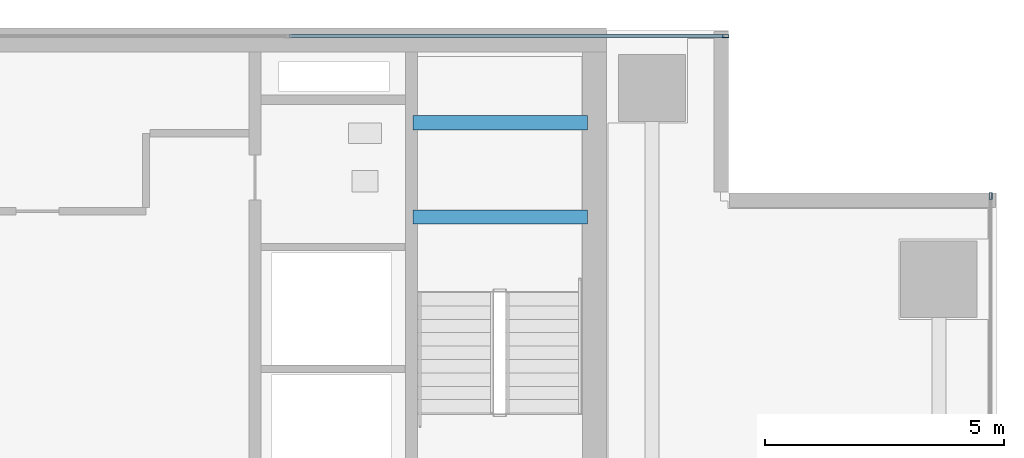
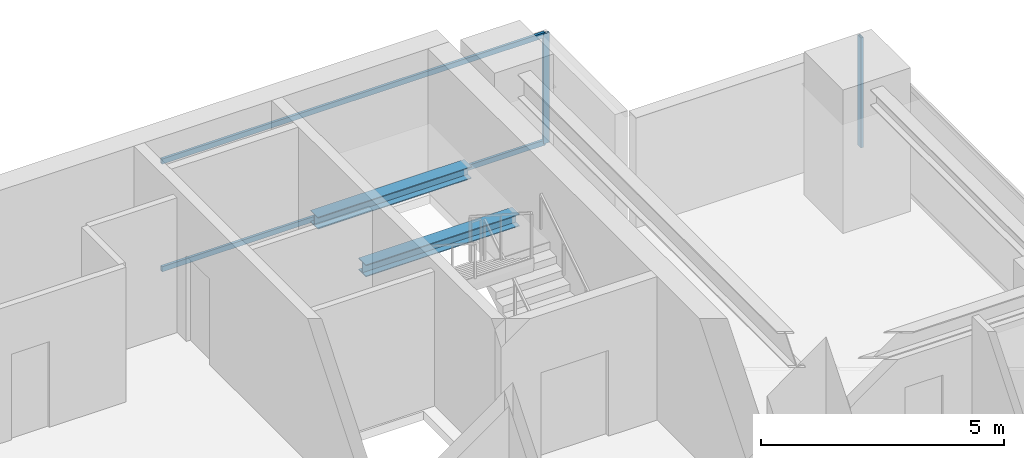
# One storey, part 22 of 28: 4 members, 2 beams, 2 elements without a shape of their own.
"""IFC4 building model written with IfcOpenShell, lengths in metres."""

import ifcopenshell
import ifcopenshell.guid

model = None  # the IFC model being written
_history = None  # IfcOwnerHistory: only IFC2X3 demands one
_inside = {}  # id of a spatial element -> (the spatial element, [elements in it])
_under = {}  # id of a project, library or spatial element -> (it, [spatial elements below it])
_declared = {}  # id of a project -> (the project, [libraries it declares])
_typed = {}  # id of a type object -> (the type object, [elements of that type])
_made_of = {}  # id of a material, layer set ... -> (it, [elements and type objects made of it])


def new_model(schema):
    """Start an empty IFC model of exactly this schema.

    Asked for "IFC4X3", IfcOpenShell would pick the latest addendum, in which some entities
    have other attributes; the version numbers below select the first issue.
    IFC2X3 requires an IfcOwnerHistory on every rooted entity: one is made here for all.
    """
    global model, _history
    if schema == "IFC4X3":
        model = ifcopenshell.file(schema_version=(4, 3, 0, 0))
    else:
        model = ifcopenshell.file(schema=schema)
    _inside.clear()
    _under.clear()
    _declared.clear()
    _typed.clear()
    _made_of.clear()
    _history = None
    if model.schema == "IFC2X3":
        org = make("IfcOrganization", Name="unknown")
        user = make(
            "IfcPersonAndOrganization",
            ThePerson=make("IfcPerson", FamilyName="unknown"),
            TheOrganization=org,
        )
        app = make(
            "IfcApplication",
            ApplicationDeveloper=org,
            Version="unknown",
            ApplicationFullName="unknown",
            ApplicationIdentifier="unknown",
        )
        _history = make(
            "IfcOwnerHistory",
            OwningUser=user,
            OwningApplication=app,
            ChangeAction="ADDED",
            CreationDate=0,
        )
    return model


def make(cls, **values):
    """One entity of the class cls with the attributes given. An attribute that is None is left unset."""
    return model.create_entity(
        cls, **{name: value for name, value in values.items() if value is not None}
    )


def rooted(cls, **values):
    """An entity with a GlobalId (a new one), such as an element, a storey or a relation."""
    return make(cls, GlobalId=ifcopenshell.guid.new(), OwnerHistory=_history, **values)


def si_unit(unit_type, name, prefix=None):
    """IfcSIUnit, for example si_unit("LENGTHUNIT", "METRE", prefix="MILLI")."""
    return make("IfcSIUnit", UnitType=unit_type, Prefix=prefix, Name=name)


def assignment(units):
    """IfcUnitAssignment: the units of a project."""
    return None if units is None else make("IfcUnitAssignment", Units=units)


def point(xyz):
    """IfcCartesianPoint."""
    return None if xyz is None else make("IfcCartesianPoint", Coordinates=xyz)


def direction(xyz):
    """IfcDirection."""
    return None if xyz is None else make("IfcDirection", DirectionRatios=xyz)


def frame(location, z_axis=None, x_axis=None):
    """IfcAxis2Placement3D, a coordinate frame: its origin and axes. An axis left out is left unset."""
    return make(
        "IfcAxis2Placement3D",
        Location=point(location),
        Axis=direction(z_axis),
        RefDirection=direction(x_axis),
    )


def frame_2d(location, x_axis=None):
    """IfcAxis2Placement2D, a coordinate frame in the plane: its origin and x axis."""
    return make(
        "IfcAxis2Placement2D", Location=point(location), RefDirection=direction(x_axis)
    )


def origin():
    """The frame at (0, 0, 0) with its axes left unset."""
    return frame((0.0, 0.0, 0.0))


def origin_2d():
    """The frame at (0, 0) in the plane with its x axis left unset."""
    return frame_2d((0.0, 0.0))


def place(relative_to, where):
    """IfcLocalPlacement: puts the frame where relative to a parent placement (None: the world)."""
    return make(
        "IfcLocalPlacement", PlacementRelTo=relative_to, RelativePlacement=where
    )


def context(
    kind, dimensions, precision=None, world=None, true_north=None, identifier=None
):
    """IfcGeometricRepresentationContext, for example the 3D "Model" context."""
    return make(
        "IfcGeometricRepresentationContext",
        ContextIdentifier=identifier,
        ContextType=kind,
        CoordinateSpaceDimension=dimensions,
        Precision=precision,
        WorldCoordinateSystem=world,
        TrueNorth=true_north,
    )


def subcontext(parent, identifier, kind, view, scale=None):
    """IfcGeometricRepresentationSubContext, for example "Body" below "Model"."""
    return make(
        "IfcGeometricRepresentationSubContext",
        ContextIdentifier=identifier,
        ContextType=kind,
        ParentContext=parent,
        TargetScale=scale,
        TargetView=view,
    )


def project(units=None, contexts=None):
    """IfcProject with its units and contexts."""
    return rooted(
        "IfcProject",
        Name="project",
        RepresentationContexts=contexts,
        UnitsInContext=assignment(units),
    )


def spatial(cls, under=None, at=None, **own):
    """A site, building, storey or space (cls), placed at a placement, below another one or the project."""
    s = rooted(cls, ObjectPlacement=at, **own)
    if under is not None:
        _under.setdefault(under.id(), (under, []))[1].append(s)
    return s


def profile(cls, at=None, kind="AREA", **sizes):
    """A parametric profile (cls). Its sizes go by their IFC names, for example OverallWidth=200.0."""
    return make(cls, ProfileType=kind, Position=at, **sizes)


def hollow_rectangle(**sizes):
    """IfcRectangleHollowProfileDef."""
    return profile("IfcRectangleHollowProfileDef", **sizes)


def i_section(**sizes):
    """IfcIShapeProfileDef."""
    return profile("IfcIShapeProfileDef", **sizes)


def extrude(swept, where, along, depth):
    """IfcExtrudedAreaSolid: the profile swept, set in the frame where, extruded along a direction by depth."""
    return make(
        "IfcExtrudedAreaSolid",
        SweptArea=swept,
        Position=where,
        ExtrudedDirection=direction(along),
        Depth=depth,
    )


def shape(context_of_items, identifier, shape_type, items):
    """IfcShapeRepresentation: the items that make up one representation, for example the "Body"."""
    return make(
        "IfcShapeRepresentation",
        ContextOfItems=context_of_items,
        RepresentationIdentifier=identifier,
        RepresentationType=shape_type,
        Items=items,
    )


def source(mapping_origin, context_of_items, identifier, shape_type, items):
    """IfcRepresentationMap: a shape defined once, which mapped items show again and again."""
    return make(
        "IfcRepresentationMap",
        MappingOrigin=mapping_origin,
        MappedRepresentation=shape(context_of_items, identifier, shape_type, items),
    )


def transform(
    local_origin,
    x_axis=None,
    y_axis=None,
    z_axis=None,
    scale=None,
    scale2=None,
    scale3=None,
    uniform=True,
):
    """IfcCartesianTransformationOperator3D, or its non-uniform kind. x_axis, y_axis, z_axis: its Axis1, 2, 3."""
    if uniform:
        return make(
            "IfcCartesianTransformationOperator3D",
            Axis1=direction(x_axis),
            Axis2=direction(y_axis),
            LocalOrigin=point(local_origin),
            Scale=scale,
            Axis3=direction(z_axis),
        )
    return make(
        "IfcCartesianTransformationOperator3DnonUniform",
        Axis1=direction(x_axis),
        Axis2=direction(y_axis),
        LocalOrigin=point(local_origin),
        Scale=scale,
        Axis3=direction(z_axis),
        Scale2=scale2,
        Scale3=scale3,
    )


def mapped(mapping_source, mapping_target):
    """IfcMappedItem: shows the shape of a source again, moved by a transform."""
    return make(
        "IfcMappedItem", MappingSource=mapping_source, MappingTarget=mapping_target
    )


def material(Name=None, Category=None):
    """IfcMaterial."""
    return make("IfcMaterial", Name=Name, Category=Category)


def layer(
    of_material, thickness, ventilated=None, Name=None, Category=None, Priority=None
):
    """IfcMaterialLayer: one layer of a wall or slab, of a material (None: an air gap)."""
    return make(
        "IfcMaterialLayer",
        Material=of_material,
        LayerThickness=thickness,
        IsVentilated=ventilated,
        Name=Name,
        Category=Category,
        Priority=Priority,
    )


def layer_set(layers, Name=None):
    """IfcMaterialLayerSet."""
    return make("IfcMaterialLayerSet", MaterialLayers=layers, LayerSetName=Name)


def material_profile(
    of_material, cross_section, Name=None, Category=None, Priority=None
):
    """IfcMaterialProfile: a cross section and its material."""
    return make(
        "IfcMaterialProfile",
        Name=Name,
        Material=of_material,
        Profile=cross_section,
        Priority=Priority,
        Category=Category,
    )


def profile_set(profiles, Name=None, composite=None):
    """IfcMaterialProfileSet."""
    return make(
        "IfcMaterialProfileSet",
        Name=Name,
        MaterialProfiles=profiles,
        CompositeProfile=composite,
    )


def made_of(thing, what):
    """Note that an element or type object is made of a material, layer set ...; save() writes the relation."""
    if what is not None:
        _made_of.setdefault(what.id(), (what, []))[1].append(thing)
    return thing


def type_object(cls, material=None, **own):
    """A type object (cls), such as IfcWallType, which elements share."""
    return made_of(rooted(cls, **own), material)


def element(
    cls,
    number,
    at=None,
    inside=None,
    cuts=None,
    type_object=None,
    material=None,
    context=None,
    identifier="Body",
    shape_type=None,
    held_by="IfcProductDefinitionShape",
    body=None,
    shapes=None,
    **own,
):
    """One element of the class cls, such as IfcWall. Its Tag is "e" and its number.

    at: its placement. inside: the storey or other place that contains it. cuts: it is an
    opening in that element (IfcRelVoidsElement). A single representation is given by context,
    identifier, shape_type and body (its items); several are given by shapes. held_by: the class
    of the entity that holds the representations. save() writes the other relations.
    """
    e = rooted(cls, Tag="e%d" % number, ObjectPlacement=at, **own)
    if body is not None:
        shapes = [shape(context, identifier, shape_type, body)]
    if shapes is not None:
        e.Representation = make(held_by, Representations=shapes)
    if inside is not None:
        _inside.setdefault(inside.id(), (inside, []))[1].append(e)
    if cuts is not None:
        rooted(
            "IfcRelVoidsElement", RelatingBuildingElement=cuts, RelatedOpeningElement=e
        )
    if type_object is not None:
        _typed.setdefault(type_object.id(), (type_object, []))[1].append(e)
    return made_of(e, material)


def aggregate(whole, parts):
    """IfcRelAggregates: a whole, such as a stair, and the parts it consists of."""
    return rooted("IfcRelAggregates", RelatingObject=whole, RelatedObjects=parts)


def save(model, path):
    """Write the relations noted so far, then the file.

    IfcRelAggregates (storeys below a building ...), IfcRelContainedInSpatialStructure (elements
    in a storey), IfcRelDefinesByType, IfcRelAssociatesMaterial and IfcRelDeclares: one each for
    every whole, place, type object, material and project.
    """
    for whole, parts in _under.values():
        aggregate(whole, parts)
    for where, things in _inside.values():
        rooted(
            "IfcRelContainedInSpatialStructure",
            RelatedElements=things,
            RelatingStructure=where,
        )
    for kind, things in _typed.values():
        rooted("IfcRelDefinesByType", RelatedObjects=things, RelatingType=kind)
    for what, things in _made_of.values():
        rooted("IfcRelAssociatesMaterial", RelatedObjects=things, RelatingMaterial=what)
    for by, libraries in _declared.values():
        rooted("IfcRelDeclares", RelatingContext=by, RelatedDefinitions=libraries)
    model.write(path)


model = new_model("IFC4")

# Units and contexts
model_context = context("Model", 3, precision=1e-05, world=origin(), true_north=direction((0.0, 1.0)))
body_context = subcontext(model_context, "Body", "Model", "MODEL_VIEW")
ifc_project = project(units=[si_unit("LENGTHUNIT", "METRE"), si_unit("AREAUNIT", "SQUARE_METRE"), si_unit("VOLUMEUNIT", "CUBIC_METRE"), si_unit("PLANEANGLEUNIT", "RADIAN"), si_unit("MASSUNIT", "GRAM", prefix="KILO")], contexts=[model_context])

# Site, building, storey
site_placement = place(None, origin())
site = spatial("IfcSite", under=ifc_project, at=site_placement, CompositionType="ELEMENT")
building_placement = place(site_placement, origin())
building = spatial("IfcBuilding", under=site, at=building_placement, Name="Sumidabori Civic Tower", CompositionType="ELEMENT")
storey_placement = place(building_placement, frame((0.0, 0.0, 210.800048828125)))
storey = spatial("IfcBuildingStorey", under=building, at=storey_placement, Name="L54", CompositionType="ELEMENT", Elevation=210.800048828125)

# Beams
ifc_material_1 = material(Name="Steel SN490", Category="steel")
ifc_material_profile_1 = material_profile(ifc_material_1, i_section(OverallWidth=0.300048828125, OverallDepth=0.300048828125, WebThickness=0.010986328125, FlangeThickness=0.01904296875, at=origin_2d()), Name="HE 300 B")
ifc_profile_set_1 = profile_set([ifc_material_profile_1], Name="Steel SN490")
beam_type = type_object("IfcBeamType", Name="BM-LDG-300", PredefinedType="BEAM", material=ifc_profile_set_1)
shared_shape_1 = source(origin(), body_context, "Body", "SweptSolid", [
    extrude(i_section(OverallWidth=0.300048828125, OverallDepth=0.300048828125, WebThickness=0.010986328125, FlangeThickness=0.01904296875, at=origin_2d()), origin(), (0.0, 0.0, 1.0), 3.64990234375),
])
for number, where, z_axis, x_axis, name in (
    (1, (11.800048828125, 20.09765625, 1.449951171875), (1.0, 0.0, 0.0), (0.0, 1.0, 0.0), "Stair ST-2 Landing Support Beam L54-1A"),
    (2, (11.800048828125, 22.069580078125, 1.449951171875), (1.0, 0.0, 0.0), (0.0, 1.0, 0.0), "Stair ST-2 Landing Trimmer Beam L54-1B"),
):
    element("IfcBeam", number, at=place(storey_placement, frame(where, z_axis=z_axis, x_axis=x_axis)), inside=storey, type_object=beam_type, Name=name, PredefinedType="BEAM", context=body_context, shape_type="MappedRepresentation", body=[
        mapped(shared_shape_1, transform((0.0, 0.0, 0.0), x_axis=(1.0, 0.0, 0.0), y_axis=(0.0, 1.0, 0.0), z_axis=(0.0, 0.0, 1.0), scale=1.0)),
    ])

# Curtain wall, member
ifc_material_2 = material(Name="Anodised Bronze Aluminium AW-6063-T6", Category="aluminium")
ifc_layer = layer(ifc_material_2, 0.179931640625, Name="Anodised Bronze Aluminium AW-6063-T6")
ifc_layer_set = layer_set([ifc_layer], Name="Anodised Bronze Aluminium AW-6063-T6")
curtain_wall_type = type_object("IfcCurtainWallType", Name="CW-SYS-5", PredefinedType="NOTDEFINED", material=ifc_layer_set)
curtain_wall_1_placement = place(storey_placement, origin())
curtain_wall_1 = element("IfcCurtainWall", 3, at=curtain_wall_1_placement, inside=storey, type_object=curtain_wall_type, Name="Curtain Wall CW:L54:R10", PredefinedType="NOTDEFINED")
ifc_material_profile_2 = material_profile(ifc_material_2, hollow_rectangle(XDim=0.06005859375, YDim=0.139892578125, WallThickness=0.0048828125, at=origin_2d()), Name="ALU MULLION 140x60")
ifc_profile_set_2 = profile_set([ifc_material_profile_2], Name="Anodised Bronze Aluminium AW-6063-T6")
member_type_1 = type_object("IfcMemberType", Name="CW-MUL-140", PredefinedType="MULLION", material=ifc_profile_set_2)
shared_shape_2 = source(origin(), body_context, "Body", "SweptSolid", [
    extrude(hollow_rectangle(XDim=0.06005859375, YDim=0.139892578125, WallThickness=0.0048828125, at=origin_2d()), origin(), (0.0, 0.0, 1.0), 2.760009765625),
])
member_1_placement = place(storey_placement, frame((23.8798828125, 20.5400390625, 0.0), z_axis=(0.0, 0.0, 1.0), x_axis=(-1.0, 0.0, 0.0)))
member_1 = element("IfcMember", 4, at=member_1_placement, type_object=member_type_1, Name="CW-5 mullion 5", PredefinedType="MULLION", context=body_context, shape_type="MappedRepresentation", body=[
    mapped(shared_shape_2, transform((0.0, 0.0, 0.0), x_axis=(1.0, 0.0, 0.0), y_axis=(0.0, 1.0, 0.0), z_axis=(0.0, 0.0, 1.0), scale=1.0)),
])
aggregate(curtain_wall_1, [member_1])

# Curtain wall, members
curtain_wall_2_placement = place(storey_placement, origin())
curtain_wall_2 = element("IfcCurtainWall", 5, at=curtain_wall_2_placement, inside=storey, type_object=curtain_wall_type, Name="Curtain Wall CW:L54:R13", PredefinedType="NOTDEFINED")
member_2_placement = place(storey_placement, frame((18.340087890625, 23.8798828125, 0.0), z_axis=(0.0, 0.0, 1.0), x_axis=(0.0, -1.0, 0.0)))
member_2 = element("IfcMember", 6, at=member_2_placement, type_object=member_type_1, Name="CW-5 mullion 1", PredefinedType="MULLION", context=body_context, shape_type="MappedRepresentation", body=[
    mapped(shared_shape_2, transform((0.0, 0.0, 0.0), x_axis=(1.0, 0.0, 0.0), y_axis=(0.0, 1.0, 0.0), z_axis=(0.0, 0.0, 1.0), scale=1.0)),
])
ifc_material_profile_3 = material_profile(ifc_material_2, hollow_rectangle(XDim=0.06005859375, YDim=0.1298828125, WallThickness=0.0048828125, at=origin_2d()), Name="ALU TRANSOM 130x60")
ifc_profile_set_3 = profile_set([ifc_material_profile_3], Name="Anodised Bronze Aluminium AW-6063-T6")
member_type_2 = type_object("IfcMemberType", Name="CW-TRN-130", PredefinedType="USERDEFINED", material=ifc_profile_set_3)
shared_shape_3 = source(origin(), body_context, "Body", "SweptSolid", [
    extrude(hollow_rectangle(XDim=0.06005859375, YDim=0.1298828125, WallThickness=0.0048828125, at=origin_2d()), origin(), (0.0, 0.0, 1.0), 9.094970703125),
])
member_3_placement = place(storey_placement, frame((18.31005859375, 23.8798828125, 0.030029296875), z_axis=(-1.0, 0.0, 0.0), x_axis=(0.0, -1.0, 0.0)))
member_3 = element("IfcMember", 7, at=member_3_placement, type_object=member_type_2, Name="CW-5 transom 1.1", ObjectType="TRANSOM", PredefinedType="USERDEFINED", context=body_context, shape_type="MappedRepresentation", body=[
    mapped(shared_shape_3, transform((0.0, 0.0, 0.0), x_axis=(1.0, 0.0, 0.0), y_axis=(0.0, 1.0, 0.0), z_axis=(0.0, 0.0, 1.0), scale=1.0)),
])
member_4_placement = place(storey_placement, frame((18.31005859375, 23.8798828125, 2.72998046875), z_axis=(-1.0, 0.0, 0.0), x_axis=(0.0, -1.0, 0.0)))
member_4 = element("IfcMember", 8, at=member_4_placement, type_object=member_type_2, Name="CW-5 transom 1.2", ObjectType="TRANSOM", PredefinedType="USERDEFINED", context=body_context, shape_type="MappedRepresentation", body=[
    mapped(shared_shape_3, transform((0.0, 0.0, 0.0), x_axis=(1.0, 0.0, 0.0), y_axis=(0.0, 1.0, 0.0), z_axis=(0.0, 0.0, 1.0), scale=1.0)),
])
aggregate(curtain_wall_2, [member_2, member_3, member_4])

save(model, "model.ifc")
